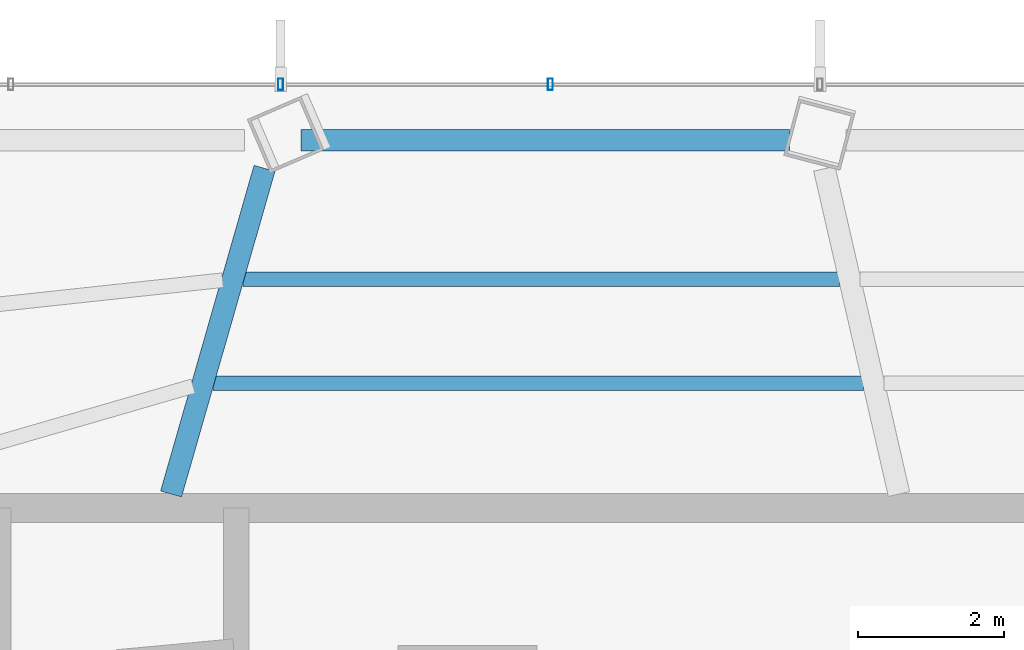
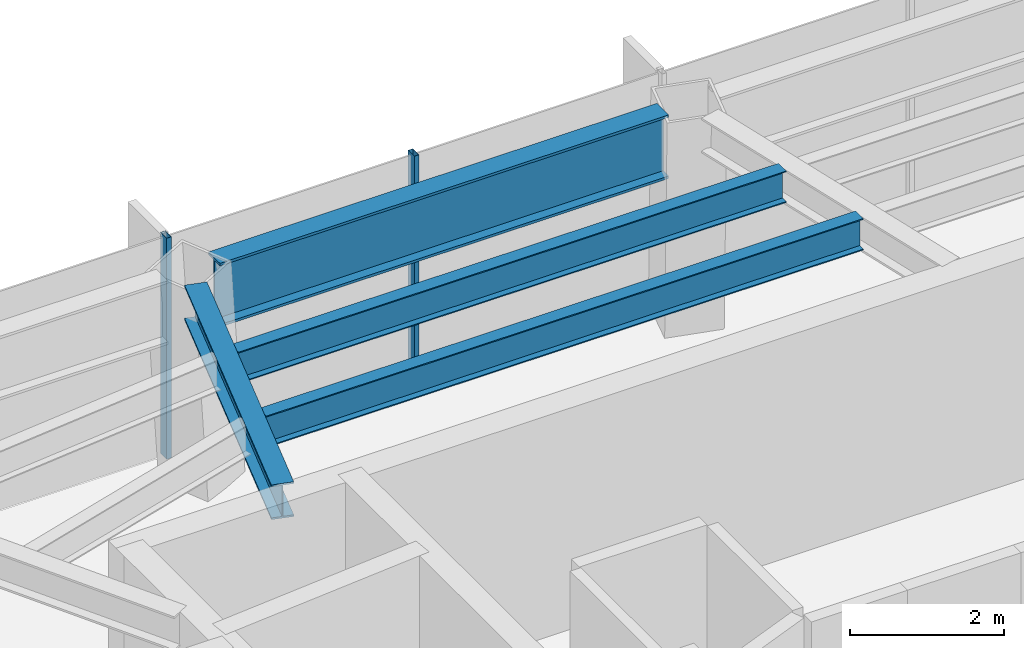
# One storey, part 14 of 30: 4 beams, 2 members, 1 element without a shape of its own.
"""IFC4 building model written with IfcOpenShell, lengths in metres."""

from ifc_helpers import new_model, si_unit, direction, frame, origin, origin_2d, place, context, subcontext, project, spatial, hollow_rectangle, i_section, extrude, material, layer, layer_set, material_profile, profile_set, type_object, element, aggregate, save


model = new_model("IFC4")

# Units and contexts
model_context = context("Model", 3, precision=1e-05, world=origin(), true_north=direction((0.0, 1.0)))
body_context = subcontext(model_context, "Body", "Model", "MODEL_VIEW")
ifc_project = project(units=[si_unit("LENGTHUNIT", "METRE"), si_unit("AREAUNIT", "SQUARE_METRE"), si_unit("VOLUMEUNIT", "CUBIC_METRE"), si_unit("PLANEANGLEUNIT", "RADIAN"), si_unit("MASSUNIT", "GRAM", prefix="KILO")], contexts=[model_context])

# Site, building, storey
site_placement = place(None, origin())
site = spatial("IfcSite", under=ifc_project, at=site_placement, CompositionType="ELEMENT")
building_placement = place(site_placement, origin())
building = spatial("IfcBuilding", under=site, at=building_placement, Name="Zarrinselat Tower", CompositionType="ELEMENT")
storey_placement = place(building_placement, frame((0.0, 0.0, 130.89990234375)))
storey = spatial("IfcBuildingStorey", under=building, at=storey_placement, Name="L31", CompositionType="ELEMENT", Elevation=130.89990234375)

# Beams
ifc_material_1 = material(Name="Steel S355J2", Category="steel")
ifc_material_profile_1 = material_profile(ifc_material_1, i_section(OverallWidth=0.300048828125, OverallDepth=0.550048828125, WebThickness=0.014892578125, FlangeThickness=0.029052734375, at=origin_2d()), Name="HEB 550")
ifc_profile_set_1 = profile_set([ifc_material_profile_1], Name="Steel S355J2")
beam_type_1 = type_object("IfcBeamType", Name="BM-HEB550", PredefinedType="BEAM", material=ifc_profile_set_1)
beam_1_placement = place(storey_placement, frame((31.0, 43.639892578125, 3.22509765625), z_axis=(0.275815605484, 0.961210565782, 0.0), x_axis=(-0.961210565782, 0.275815605484, 0.0)))
element("IfcBeam", 1, at=beam_1_placement, inside=storey, type_object=beam_type_1, Name="L31 Radial Primary Girder RG04", PredefinedType="BEAM", context=body_context, shape_type="SweptSolid", body=[
    extrude(i_section(OverallWidth=0.300048828125, OverallDepth=0.550048828125, WebThickness=0.014892578125, FlangeThickness=0.029052734375, at=origin_2d()), origin(), (0.0, 0.0, 1.0), 4.654052734375),
])
ifc_material_2 = material(Name="Steel S460M", Category="steel")
ifc_material_profile_2 = material_profile(ifc_material_2, i_section(OverallWidth=0.302001953125, OverallDepth=1.008056640625, WebThickness=0.02099609375, FlangeThickness=0.0400390625, at=origin_2d()), Name="HEM 1000")
ifc_profile_set_2 = profile_set([ifc_material_profile_2], Name="Steel S460M")
beam_type_2 = type_object("IfcBeamType", Name="BM-HEM1000", PredefinedType="BEAM", material=ifc_profile_set_2)
beam_2_placement = place(storey_placement, frame((32.782470703125, 48.5, 2.99609375), z_axis=(1.0, 0.0, 0.0), x_axis=(0.0, 1.0, 0.0)))
element("IfcBeam", 2, at=beam_2_placement, inside=storey, type_object=beam_type_2, Name="L31 Perimeter Spandrel Girder SP03", PredefinedType="BEAM", context=body_context, shape_type="SweptSolid", body=[
    extrude(i_section(OverallWidth=0.302001953125, OverallDepth=1.008056640625, WebThickness=0.02099609375, FlangeThickness=0.0400390625, at=origin_2d()), origin(), (0.0, 0.0, 1.0), 6.714111328125),
])
ifc_material_3 = material(Name="Steel S355J2", Category="steel")
ifc_material_profile_3 = material_profile(ifc_material_3, i_section(OverallWidth=0.199951171875, OverallDepth=0.5, WebThickness=0.01025390625, FlangeThickness=0.01611328125, at=origin_2d()), Name="IPE 500")
ifc_profile_set_3 = profile_set([ifc_material_profile_3], Name="Steel S355J2")
beam_type_3 = type_object("IfcBeamType", Name="BM-IPE500", PredefinedType="JOIST", material=ifc_profile_set_3)
beam_3_placement = place(storey_placement, frame((31.9873046875, 46.592529296875, 3.25), z_axis=(0.999999913039, -0.000417038987, 0.0), x_axis=(0.000417038987, 0.999999913039, 0.0)))
element("IfcBeam", 3, at=beam_3_placement, inside=storey, type_object=beam_type_3, Name="L31 Composite Floor Joist 8-1", PredefinedType="JOIST", context=body_context, shape_type="SweptSolid", body=[
    extrude(i_section(OverallWidth=0.199951171875, OverallDepth=0.5, WebThickness=0.01025390625, FlangeThickness=0.01611328125, at=origin_2d()), origin(), (0.0, 0.0, 1.0), 8.19580078125),
])
beam_4_placement = place(storey_placement, frame((31.576416015625, 45.160888671875, 3.25), z_axis=(0.999999981708, -0.000191267279, 0.0), x_axis=(0.000191267279, 0.999999981708, 0.0)))
element("IfcBeam", 4, at=beam_4_placement, inside=storey, type_object=beam_type_3, Name="L31 Composite Floor Joist 8-2", PredefinedType="JOIST", context=body_context, shape_type="SweptSolid", body=[
    extrude(i_section(OverallWidth=0.199951171875, OverallDepth=0.5, WebThickness=0.01025390625, FlangeThickness=0.01611328125, at=origin_2d()), origin(), (0.0, 0.0, 1.0), 8.93505859375),
])

# Curtain wall, members
ifc_material_4 = material(Name="Extruded Aluminium Alloy EN AW-6063 T6", Category="aluminium")
ifc_layer = layer(ifc_material_4, 0.175048828125)
ifc_layer_set = layer_set([ifc_layer], Name="Extruded Aluminium Alloy EN AW-6063 T6")
curtain_wall_type = type_object("IfcCurtainWallType", Name="CWS-HTL", PredefinedType="NOTDEFINED", material=ifc_layer_set)
curtain_wall_placement = place(storey_placement, origin())
curtain_wall = element("IfcCurtainWall", 5, at=curtain_wall_placement, inside=storey, type_object=curtain_wall_type, Name="L31 Unitised Curtain Wall CW-L31-E01", PredefinedType="NOTDEFINED")
ifc_material_5 = material(Name="Extruded Aluminium Alloy EN AW-6063 T6", Category="aluminium")
ifc_material_profile_4 = material_profile(ifc_material_5, hollow_rectangle(XDim=0.070068359375, YDim=0.159912109375, WallThickness=0.00390625, at=origin_2d()), Name="RHS 160x70x4")
ifc_profile_set_4 = profile_set([ifc_material_profile_4], Name="Extruded Aluminium Alloy EN AW-6063 T6")
member_type = type_object("IfcMemberType", Name="MEM-CW-MUL2", PredefinedType="MULLION", material=ifc_profile_set_4)
member_1_placement = place(storey_placement, frame((36.210205078125, 49.2666015625, 0.0), z_axis=(0.0, 0.0, 1.0), x_axis=(-1.0, 0.0, 0.0)))
member_1 = element("IfcMember", 6, at=member_1_placement, type_object=member_type, Name="CW-L31-E01 Mullion 6", PredefinedType="MULLION", context=body_context, shape_type="SweptSolid", body=[
    extrude(hollow_rectangle(XDim=0.070068359375, YDim=0.159912109375, WallThickness=0.00390625, at=origin_2d()), origin(), (0.0, 0.0, 1.0), 3.5),
])
member_2_placement = place(storey_placement, frame((32.504638671875, 49.2666015625, 0.0), z_axis=(0.0, 0.0, 1.0), x_axis=(-1.0, 0.0, 0.0)))
member_2 = element("IfcMember", 7, at=member_2_placement, type_object=member_type, Name="CW-L31-E01 Mullion 7", PredefinedType="MULLION", context=body_context, shape_type="SweptSolid", body=[
    extrude(hollow_rectangle(XDim=0.070068359375, YDim=0.159912109375, WallThickness=0.00390625, at=origin_2d()), origin(), (0.0, 0.0, 1.0), 3.5),
])
aggregate(curtain_wall, [member_1, member_2])

save(model, "model.ifc")
